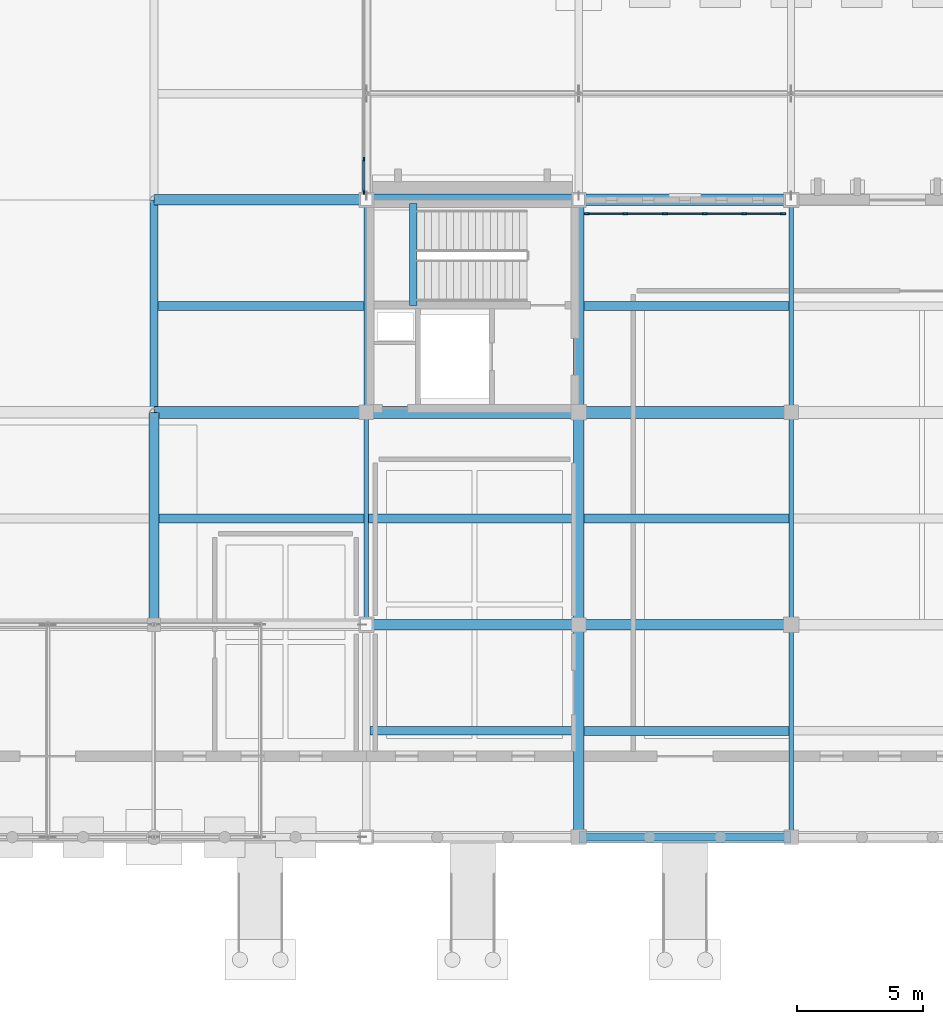
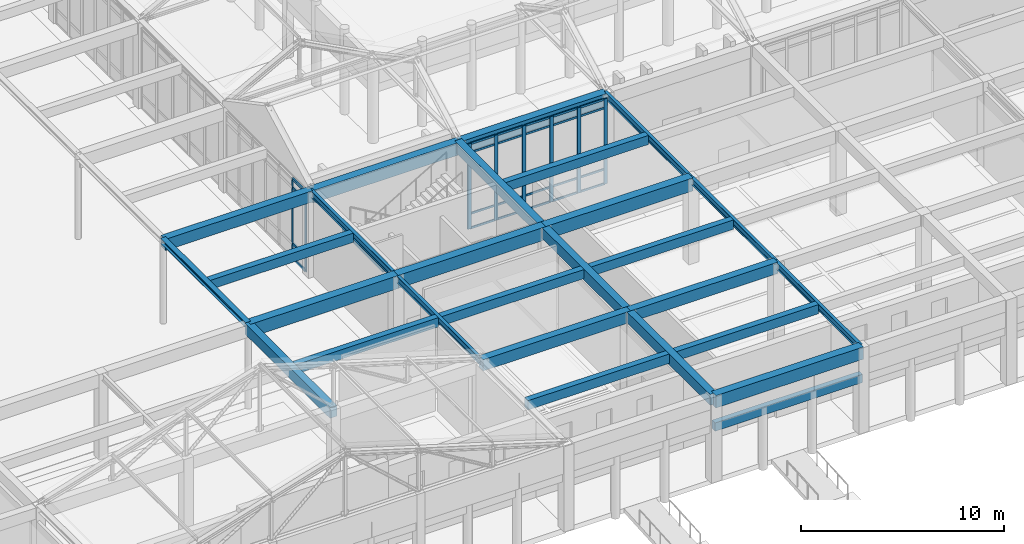
# One storey, part 34 of 143: 32 members, 28 beams, 2 elements without a shape of their own.
"""IFC4 building model written with IfcOpenShell, lengths in metres."""

from ifc_helpers import new_model, si_unit, direction, frame, origin, origin_2d, place, context, subcontext, project, spatial, rectangle, i_section, extrude, material, layer, layer_set, material_profile, profile_set, type_object, element, aggregate, save


model = new_model("IFC4")

# Units and contexts
model_context = context("Model", 3, precision=1e-05, world=origin(), true_north=direction((0.0, 1.0)))
body_context = subcontext(model_context, "Body", "Model", "MODEL_VIEW")
ifc_project = project(units=[si_unit("LENGTHUNIT", "METRE"), si_unit("AREAUNIT", "SQUARE_METRE"), si_unit("VOLUMEUNIT", "CUBIC_METRE"), si_unit("PLANEANGLEUNIT", "RADIAN"), si_unit("MASSUNIT", "GRAM", prefix="KILO")], contexts=[model_context])

# Site, building, storey
site_placement = place(None, origin())
site = spatial("IfcSite", under=ifc_project, at=site_placement, CompositionType="ELEMENT")
building_placement = place(site_placement, origin())
building = spatial("IfcBuilding", under=site, at=building_placement, Name="Kveldsbrygga Polytechnic", CompositionType="ELEMENT")
storey_placement = place(building_placement, origin())
storey = spatial("IfcBuildingStorey", under=building, at=storey_placement, Name="L00", CompositionType="ELEMENT", Elevation=0.0)

# Beams
ifc_material_1 = material(Name="Concrete C35/45", Category="concrete")
ifc_material_profile_1 = material_profile(ifc_material_1, rectangle(XDim=0.39990234375, YDim=0.64990234375, at=origin_2d()), Name="RC 400x650")
ifc_profile_set_1 = profile_set([ifc_material_profile_1], Name="Concrete C35/45")
beam_type_1 = type_object("IfcBeamType", Name="BM-RC-400x650", PredefinedType="BEAM", material=ifc_profile_set_1)
beam_1_placement = place(storey_placement, frame((67.199951171875, 8.39990234375, 4.81494140625), z_axis=(0.0, 1.0, 0.0), x_axis=(-1.0, 0.0, 0.0)))
element("IfcBeam", 1, at=beam_1_placement, inside=storey, type_object=beam_type_1, Name="Primary Beam BMY-L00-08-01to02", PredefinedType="BEAM", context=body_context, shape_type="SweptSolid", body=[
    extrude(rectangle(XDim=0.39990234375, YDim=0.64990234375, at=origin_2d()), origin(), (0.0, 0.0, 1.0), 8.400146484375),
])
beam_2_placement = place(storey_placement, frame((84.0, 0.0, 4.81494140625), z_axis=(0.0, 1.0, 0.0), x_axis=(-1.0, 0.0, 0.0)))
element("IfcBeam", 2, at=beam_2_placement, inside=storey, type_object=beam_type_1, Name="Primary Beam BMY-L00-10-00to01", PredefinedType="BEAM", context=body_context, shape_type="SweptSolid", body=[
    extrude(rectangle(XDim=0.39990234375, YDim=0.64990234375, at=origin_2d()), origin(), (0.0, 0.0, 1.0), 8.39990234375),
])
beam_3_placement = place(storey_placement, frame((84.0, 8.39990234375, 4.81494140625), z_axis=(0.0, 1.0, 0.0), x_axis=(-1.0, 0.0, 0.0)))
element("IfcBeam", 3, at=beam_3_placement, inside=storey, type_object=beam_type_1, Name="Primary Beam BMY-L00-10-01to02", PredefinedType="BEAM", context=body_context, shape_type="SweptSolid", body=[
    extrude(rectangle(XDim=0.39990234375, YDim=0.64990234375, at=origin_2d()), origin(), (0.0, 0.0, 1.0), 8.400146484375),
])
beam_4_placement = place(storey_placement, frame((84.0, 16.800048828125, 4.81494140625), z_axis=(0.0, 1.0, 0.0), x_axis=(-1.0, 0.0, 0.0)))
element("IfcBeam", 4, at=beam_4_placement, inside=storey, type_object=beam_type_1, Name="Primary Beam BMY-L00-10-02to03", PredefinedType="BEAM", context=body_context, shape_type="SweptSolid", body=[
    extrude(rectangle(XDim=0.39990234375, YDim=0.64990234375, at=origin_2d()), origin(), (0.0, 0.0, 1.0), 8.39990234375),
])
ifc_material_profile_2 = material_profile(ifc_material_1, rectangle(XDim=0.419921875, YDim=0.679931640625, at=origin_2d()), Name="RC 420x680")
ifc_profile_set_2 = profile_set([ifc_material_profile_2], Name="Concrete C35/45")
beam_type_2 = type_object("IfcBeamType", Name="BM-RC-420x680", PredefinedType="BEAM", material=ifc_profile_set_2)
for number, where, z_axis, x_axis, name in (
    (5, (75.60009765625, 8.39990234375, 4.800048828125), (1.0, 0.0, 0.0), (0.0, 1.0, 0.0), "Primary Beam BMX-L00-09to10-01"),
    (6, (84.0, 8.39990234375, 4.800048828125), (1.0, 0.0, 0.0), (0.0, 1.0, 0.0), "Primary Beam BMX-L00-10to11-01"),
):
    element("IfcBeam", number, at=place(storey_placement, frame(where, z_axis=z_axis, x_axis=x_axis)), inside=storey, type_object=beam_type_2, Name=name, PredefinedType="BEAM", context=body_context, shape_type="SweptSolid", body=[
        extrude(rectangle(XDim=0.419921875, YDim=0.679931640625, at=origin_2d()), origin(), (0.0, 0.0, 1.0), 8.39990234375),
    ])
beam_5_placement = place(storey_placement, frame((67.199951171875, 25.199951171875, 4.800048828125), z_axis=(1.0, 0.0, 0.0), x_axis=(0.0, 1.0, 0.0)))
element("IfcBeam", 7, at=beam_5_placement, inside=storey, type_object=beam_type_2, Name="Primary Beam BMX-L00-08to09-03", PredefinedType="BEAM", context=body_context, shape_type="SweptSolid", body=[
    extrude(rectangle(XDim=0.419921875, YDim=0.679931640625, at=origin_2d()), origin(), (0.0, 0.0, 1.0), 8.400146484375),
])
ifc_material_profile_3 = material_profile(ifc_material_1, rectangle(XDim=0.449951171875, YDim=0.75, at=origin_2d()), Name="RC 450x750")
ifc_profile_set_3 = profile_set([ifc_material_profile_3], Name="Concrete C35/45")
beam_type_3 = type_object("IfcBeamType", Name="BM-RC-450x750", PredefinedType="BEAM", material=ifc_profile_set_3)
for number, where, z_axis, x_axis, name in (
    (8, (75.60009765625, 25.199951171875, 4.764892578125), (1.0, 0.0, 0.0), (0.0, 1.0, 0.0), "Primary Beam BMX-L00-09to10-03"),
    (9, (84.0, 25.199951171875, 4.764892578125), (1.0, 0.0, 0.0), (0.0, 1.0, 0.0), "Primary Beam BMX-L00-10to11-03"),
):
    element("IfcBeam", number, at=place(storey_placement, frame(where, z_axis=z_axis, x_axis=x_axis)), inside=storey, type_object=beam_type_3, Name=name, PredefinedType="BEAM", context=body_context, shape_type="SweptSolid", body=[
        extrude(rectangle(XDim=0.449951171875, YDim=0.75, at=origin_2d()), origin(), (0.0, 0.0, 1.0), 8.39990234375),
    ])
ifc_material_profile_4 = material_profile(ifc_material_1, rectangle(XDim=0.4599609375, YDim=0.739990234375, at=origin_2d()), Name="RC 460x740")
ifc_profile_set_4 = profile_set([ifc_material_profile_4], Name="Concrete C35/45")
beam_type_4 = type_object("IfcBeamType", Name="BM-RC-460x740", PredefinedType="BEAM", material=ifc_profile_set_4)
beam_6_placement = place(storey_placement, frame((84.0, 0.0, 4.77001953125), z_axis=(1.0, 0.0, 0.0), x_axis=(0.0, 1.0, 0.0)))
element("IfcBeam", 10, at=beam_6_placement, inside=storey, type_object=beam_type_4, Name="Primary Beam BMX-L00-10to11-00", PredefinedType="BEAM", context=body_context, shape_type="SweptSolid", body=[
    extrude(rectangle(XDim=0.4599609375, YDim=0.739990234375, at=origin_2d()), origin(), (0.0, 0.0, 1.0), 8.39990234375),
])
ifc_material_profile_5 = material_profile(ifc_material_1, rectangle(XDim=0.47998046875, YDim=0.780029296875, at=origin_2d()), Name="RC 480x780")
ifc_profile_set_5 = profile_set([ifc_material_profile_5], Name="Concrete C35/45")
beam_type_5 = type_object("IfcBeamType", Name="BM-RC-480x780", PredefinedType="BEAM", material=ifc_profile_set_5)
beam_7_placement = place(storey_placement, frame((67.199951171875, 16.800048828125, 4.75), z_axis=(1.0, 0.0, 0.0), x_axis=(0.0, 1.0, 0.0)))
element("IfcBeam", 11, at=beam_7_placement, inside=storey, type_object=beam_type_5, Name="Primary Beam BMX-L00-08to09-02", PredefinedType="BEAM", context=body_context, shape_type="SweptSolid", body=[
    extrude(rectangle(XDim=0.47998046875, YDim=0.780029296875, at=origin_2d()), origin(), (0.0, 0.0, 1.0), 8.400146484375),
])
for number, where, z_axis, x_axis, name in (
    (12, (75.60009765625, 16.800048828125, 4.75), (1.0, 0.0, 0.0), (0.0, 1.0, 0.0), "Primary Beam BMX-L00-09to10-02"),
    (13, (84.0, 16.800048828125, 4.75), (1.0, 0.0, 0.0), (0.0, 1.0, 0.0), "Primary Beam BMX-L00-10to11-02"),
):
    element("IfcBeam", number, at=place(storey_placement, frame(where, z_axis=z_axis, x_axis=x_axis)), inside=storey, type_object=beam_type_5, Name=name, PredefinedType="BEAM", context=body_context, shape_type="SweptSolid", body=[
        extrude(rectangle(XDim=0.47998046875, YDim=0.780029296875, at=origin_2d()), origin(), (0.0, 0.0, 1.0), 8.39990234375),
    ])
ifc_material_2 = material(Name="Steel S355", Category="steel")
ifc_material_profile_6 = material_profile(ifc_material_2, i_section(OverallWidth=0.300048828125, OverallDepth=0.31005859375, WebThickness=0.009033203125, FlangeThickness=0.015380859375, FilletRadius=0.027099609375, at=origin_2d()), Name="HEA 320")
ifc_profile_set_6 = profile_set([ifc_material_profile_6], Name="Steel S355")
beam_type_6 = type_object("IfcBeamType", Name="BM-STL-HEA320", PredefinedType="BEAM", material=ifc_profile_set_6)
beam_8_placement = place(storey_placement, frame((67.199951171875, 16.800048828125, 4.985107421875), z_axis=(0.0, 1.0, 0.0), x_axis=(-1.0, 0.0, 0.0)))
element("IfcBeam", 14, at=beam_8_placement, inside=storey, type_object=beam_type_6, Name="Primary Beam BMY-L00-08-02to03", PredefinedType="BEAM", context=body_context, shape_type="SweptSolid", body=[
    extrude(i_section(OverallWidth=0.300048828125, OverallDepth=0.31005859375, WebThickness=0.009033203125, FlangeThickness=0.015380859375, FilletRadius=0.027099609375, at=origin_2d()), origin(), (0.0, 0.0, 1.0), 8.39990234375),
])
ifc_material_profile_7 = material_profile(ifc_material_2, i_section(OverallWidth=0.179931640625, OverallDepth=0.39990234375, WebThickness=0.008544921875, FlangeThickness=0.013427734375, FilletRadius=0.02099609375, at=origin_2d()), Name="IPE 400")
ifc_profile_set_7 = profile_set([ifc_material_profile_7], Name="Steel S355")
beam_type_7 = type_object("IfcBeamType", Name="BM-STL-IPE400", PredefinedType="BEAM", material=ifc_profile_set_7)
beam_9_placement = place(storey_placement, frame((75.60009765625, 8.39990234375, 4.93994140625), z_axis=(0.0, 1.0, 0.0), x_axis=(-1.0, 0.0, 0.0)))
element("IfcBeam", 15, at=beam_9_placement, inside=storey, type_object=beam_type_7, Name="Primary Beam BMY-L00-09-01to02", PredefinedType="BEAM", context=body_context, shape_type="SweptSolid", body=[
    extrude(i_section(OverallWidth=0.179931640625, OverallDepth=0.39990234375, WebThickness=0.008544921875, FlangeThickness=0.013427734375, FilletRadius=0.02099609375, at=origin_2d()), origin(), (0.0, 0.0, 1.0), 8.400146484375),
])
for number, where, z_axis, x_axis, name in (
    (16, (75.60009765625, 16.800048828125, 4.93994140625), (0.0, 1.0, 0.0), (-1.0, 0.0, 0.0), "Primary Beam BMY-L00-09-02to03"),
    (17, (92.39990234375, 0.0, 4.93994140625), (0.0, 1.0, 0.0), (-1.0, 0.0, 0.0), "Primary Beam BMY-L00-11-00to01"),
):
    element("IfcBeam", number, at=place(storey_placement, frame(where, z_axis=z_axis, x_axis=x_axis)), inside=storey, type_object=beam_type_7, Name=name, PredefinedType="BEAM", context=body_context, shape_type="SweptSolid", body=[
        extrude(i_section(OverallWidth=0.179931640625, OverallDepth=0.39990234375, WebThickness=0.008544921875, FlangeThickness=0.013427734375, FilletRadius=0.02099609375, at=origin_2d()), origin(), (0.0, 0.0, 1.0), 8.39990234375),
    ])
beam_10_placement = place(storey_placement, frame((92.39990234375, 8.39990234375, 4.93994140625), z_axis=(0.0, 1.0, 0.0), x_axis=(-1.0, 0.0, 0.0)))
element("IfcBeam", 18, at=beam_10_placement, inside=storey, type_object=beam_type_7, Name="Primary Beam BMY-L00-11-01to02", PredefinedType="BEAM", context=body_context, shape_type="SweptSolid", body=[
    extrude(i_section(OverallWidth=0.179931640625, OverallDepth=0.39990234375, WebThickness=0.008544921875, FlangeThickness=0.013427734375, FilletRadius=0.02099609375, at=origin_2d()), origin(), (0.0, 0.0, 1.0), 8.400146484375),
])
beam_11_placement = place(storey_placement, frame((92.39990234375, 16.800048828125, 4.93994140625), z_axis=(0.0, 1.0, 0.0), x_axis=(-1.0, 0.0, 0.0)))
element("IfcBeam", 19, at=beam_11_placement, inside=storey, type_object=beam_type_7, Name="Primary Beam BMY-L00-11-02to03", PredefinedType="BEAM", context=body_context, shape_type="SweptSolid", body=[
    extrude(i_section(OverallWidth=0.179931640625, OverallDepth=0.39990234375, WebThickness=0.008544921875, FlangeThickness=0.013427734375, FilletRadius=0.02099609375, at=origin_2d()), origin(), (0.0, 0.0, 1.0), 8.39990234375),
])

# Curtain wall, members
ifc_material_3 = material(Name="Anodised aluminium AW-6060", Category="aluminium")
ifc_layer_1 = layer(ifc_material_3, 0.169921875)
ifc_layer_set_1 = layer_set([ifc_layer_1], Name="Anodised aluminium AW-6060")
curtain_wall_type_1 = type_object("IfcCurtainWallType", Name="CW-FOYR-F", PredefinedType="USERDEFINED", material=ifc_layer_set_1)
curtain_wall_1_placement = place(storey_placement, origin())
curtain_wall_1 = element("IfcCurtainWall", 20, at=curtain_wall_1_placement, inside=storey, type_object=curtain_wall_type_1, Name="Curtain Wall CW-L00-Y-09-03", ObjectType="STICK CURTAIN WALL", PredefinedType="USERDEFINED")
ifc_material_profile_8 = material_profile(ifc_material_3, rectangle(XDim=0.06005859375, YDim=0.179931640625, at=origin_2d()), Name="ALU 60x180")
ifc_profile_set_8 = profile_set([ifc_material_profile_8], Name="Anodised aluminium AW-6060")
member_type_1 = type_object("IfcMemberType", Name="CW-MUL-180", PredefinedType="MULLION", material=ifc_profile_set_8)
member_1_placement = place(storey_placement, frame((75.5, 25.514892578125, 0.0), z_axis=(0.0, 0.0, 1.0), x_axis=(-1.0, 0.0, 0.0)))
member_1 = element("IfcMember", 21, at=member_1_placement, type_object=member_type_1, Name="CW-06 mullion 1", PredefinedType="MULLION", context=body_context, shape_type="SweptSolid", body=[
    extrude(rectangle(XDim=0.06005859375, YDim=0.179931640625, at=origin_2d()), origin(), (0.0, 0.0, 1.0), 4.830078125),
])
member_2_placement = place(storey_placement, frame((75.5, 26.79833984375, 0.0), z_axis=(0.0, 0.0, 1.0), x_axis=(-1.0, 0.0, 0.0)))
member_2 = element("IfcMember", 22, at=member_2_placement, type_object=member_type_1, Name="CW-06 mullion 2", PredefinedType="MULLION", context=body_context, shape_type="SweptSolid", body=[
    extrude(rectangle(XDim=0.06005859375, YDim=0.179931640625, at=origin_2d()), origin(), (0.0, 0.0, 1.0), 4.830078125),
])

ifc_layer_2 = layer(ifc_material_3, 0.18994140625)
ifc_layer_set_2 = layer_set([ifc_layer_2], Name="Anodised aluminium AW-6060")
curtain_wall_type_2 = type_object("IfcCurtainWallType", Name="CW-REFC-G", PredefinedType="USERDEFINED", material=ifc_layer_set_2)
curtain_wall_2_placement = place(storey_placement, origin())
curtain_wall_2 = element("IfcCurtainWall", 23, at=curtain_wall_2_placement, inside=storey, type_object=curtain_wall_type_2, Name="Curtain Wall CW-L00-X-10-03", ObjectType="UNITISED CURTAIN WALL", PredefinedType="USERDEFINED")
ifc_material_profile_9 = material_profile(ifc_material_3, rectangle(XDim=0.074951171875, YDim=0.199951171875, at=origin_2d()), Name="ALU 75x200")
ifc_profile_set_9 = profile_set([ifc_material_profile_9], Name="Anodised aluminium AW-6060")
member_type_2 = type_object("IfcMemberType", Name="CW-MUL-200", PredefinedType="MULLION", material=ifc_profile_set_9)
member_3_placement = place(storey_placement, frame((84.3125, 24.64990234375, 0.0), z_axis=(0.0, 0.0, 1.0), x_axis=(0.0, 1.0, 0.0)))
member_3 = element("IfcMember", 24, at=member_3_placement, type_object=member_type_2, Name="CW-07 mullion 1", PredefinedType="MULLION", context=body_context, shape_type="SweptSolid", body=[
    extrude(rectangle(XDim=0.074951171875, YDim=0.199951171875, at=origin_2d()), origin(), (0.0, 0.0, 1.0), 5.139892578125),
])
member_4_placement = place(storey_placement, frame((85.843017578125, 24.64990234375, 0.0), z_axis=(0.0, 0.0, 1.0), x_axis=(0.0, 1.0, 0.0)))
member_4 = element("IfcMember", 25, at=member_4_placement, type_object=member_type_2, Name="CW-07 mullion 2", PredefinedType="MULLION", context=body_context, shape_type="SweptSolid", body=[
    extrude(rectangle(XDim=0.074951171875, YDim=0.199951171875, at=origin_2d()), origin(), (0.0, 0.0, 1.0), 5.139892578125),
])
member_5_placement = place(storey_placement, frame((87.410888671875, 24.64990234375, 0.0), z_axis=(0.0, 0.0, 1.0), x_axis=(0.0, 1.0, 0.0)))
member_5 = element("IfcMember", 26, at=member_5_placement, type_object=member_type_2, Name="CW-07 mullion 3", PredefinedType="MULLION", context=body_context, shape_type="SweptSolid", body=[
    extrude(rectangle(XDim=0.074951171875, YDim=0.199951171875, at=origin_2d()), origin(), (0.0, 0.0, 1.0), 5.139892578125),
])
member_6_placement = place(storey_placement, frame((88.97900390625, 24.64990234375, 0.0), z_axis=(0.0, 0.0, 1.0), x_axis=(0.0, 1.0, 0.0)))
member_6 = element("IfcMember", 27, at=member_6_placement, type_object=member_type_2, Name="CW-07 mullion 4", PredefinedType="MULLION", context=body_context, shape_type="SweptSolid", body=[
    extrude(rectangle(XDim=0.074951171875, YDim=0.199951171875, at=origin_2d()), origin(), (0.0, 0.0, 1.0), 5.139892578125),
])
member_7_placement = place(storey_placement, frame((90.547119140625, 24.64990234375, 0.0), z_axis=(0.0, 0.0, 1.0), x_axis=(0.0, 1.0, 0.0)))
member_7 = element("IfcMember", 28, at=member_7_placement, type_object=member_type_2, Name="CW-07 mullion 5", PredefinedType="MULLION", context=body_context, shape_type="SweptSolid", body=[
    extrude(rectangle(XDim=0.074951171875, YDim=0.199951171875, at=origin_2d()), origin(), (0.0, 0.0, 1.0), 5.139892578125),
])
member_8_placement = place(storey_placement, frame((92.077392578125, 24.64990234375, 0.0), z_axis=(0.0, 0.0, 1.0), x_axis=(0.0, 1.0, 0.0)))
member_8 = element("IfcMember", 29, at=member_8_placement, type_object=member_type_2, Name="CW-07 mullion 6", PredefinedType="MULLION", context=body_context, shape_type="SweptSolid", body=[
    extrude(rectangle(XDim=0.074951171875, YDim=0.199951171875, at=origin_2d()), origin(), (0.0, 0.0, 1.0), 5.139892578125),
])
ifc_material_profile_10 = material_profile(ifc_material_3, rectangle(XDim=0.06005859375, YDim=0.1201171875, at=origin_2d()), Name="ALU 60x120")
ifc_profile_set_10 = profile_set([ifc_material_profile_10], Name="Anodised aluminium AW-6060")
member_type_3 = type_object("IfcMemberType", Name="CW-TRN-120", PredefinedType="USERDEFINED", material=ifc_profile_set_10)
member_9_placement = place(storey_placement, frame((84.35009765625, 24.64990234375, 0.030029296875), z_axis=(1.0, 0.0, 0.0), x_axis=(0.0, 1.0, 0.0)))
member_9 = element("IfcMember", 30, at=member_9_placement, type_object=member_type_3, Name="CW-07 transom 1.1", ObjectType="TRANSOM", PredefinedType="USERDEFINED", context=body_context, shape_type="SweptSolid", body=[
    extrude(rectangle(XDim=0.06005859375, YDim=0.1201171875, at=origin_2d()), origin(), (0.0, 0.0, 1.0), 1.455322265625),
])
member_10_placement = place(storey_placement, frame((84.35009765625, 24.64990234375, 0.89990234375), z_axis=(1.0, 0.0, 0.0), x_axis=(0.0, 1.0, 0.0)))
member_10 = element("IfcMember", 31, at=member_10_placement, type_object=member_type_3, Name="CW-07 transom 1.2", ObjectType="TRANSOM", PredefinedType="USERDEFINED", context=body_context, shape_type="SweptSolid", body=[
    extrude(rectangle(XDim=0.06005859375, YDim=0.1201171875, at=origin_2d()), origin(), (0.0, 0.0, 1.0), 1.455322265625),
])
member_11_placement = place(storey_placement, frame((84.35009765625, 24.64990234375, 4.590087890625), z_axis=(1.0, 0.0, 0.0), x_axis=(0.0, 1.0, 0.0)))
member_11 = element("IfcMember", 32, at=member_11_placement, type_object=member_type_3, Name="CW-07 transom 1.3", ObjectType="TRANSOM", PredefinedType="USERDEFINED", context=body_context, shape_type="SweptSolid", body=[
    extrude(rectangle(XDim=0.06005859375, YDim=0.1201171875, at=origin_2d()), origin(), (0.0, 0.0, 1.0), 1.455322265625),
])
member_12_placement = place(storey_placement, frame((84.35009765625, 24.64990234375, 5.110107421875), z_axis=(1.0, 0.0, 0.0), x_axis=(0.0, 1.0, 0.0)))
member_12 = element("IfcMember", 33, at=member_12_placement, type_object=member_type_3, Name="CW-07 transom 1.4", ObjectType="TRANSOM", PredefinedType="USERDEFINED", context=body_context, shape_type="SweptSolid", body=[
    extrude(rectangle(XDim=0.06005859375, YDim=0.1201171875, at=origin_2d()), origin(), (0.0, 0.0, 1.0), 1.455322265625),
])
member_13_placement = place(storey_placement, frame((85.880615234375, 24.64990234375, 0.030029296875), z_axis=(1.0, 0.0, 0.0), x_axis=(0.0, 1.0, 0.0)))
member_13 = element("IfcMember", 34, at=member_13_placement, type_object=member_type_3, Name="CW-07 transom 2.1", ObjectType="TRANSOM", PredefinedType="USERDEFINED", context=body_context, shape_type="SweptSolid", body=[
    extrude(rectangle(XDim=0.06005859375, YDim=0.1201171875, at=origin_2d()), origin(), (0.0, 0.0, 1.0), 1.492919921875),
])
member_14_placement = place(storey_placement, frame((85.880615234375, 24.64990234375, 0.89990234375), z_axis=(1.0, 0.0, 0.0), x_axis=(0.0, 1.0, 0.0)))
member_14 = element("IfcMember", 35, at=member_14_placement, type_object=member_type_3, Name="CW-07 transom 2.2", ObjectType="TRANSOM", PredefinedType="USERDEFINED", context=body_context, shape_type="SweptSolid", body=[
    extrude(rectangle(XDim=0.06005859375, YDim=0.1201171875, at=origin_2d()), origin(), (0.0, 0.0, 1.0), 1.492919921875),
])
member_15_placement = place(storey_placement, frame((85.880615234375, 24.64990234375, 4.590087890625), z_axis=(1.0, 0.0, 0.0), x_axis=(0.0, 1.0, 0.0)))
member_15 = element("IfcMember", 36, at=member_15_placement, type_object=member_type_3, Name="CW-07 transom 2.3", ObjectType="TRANSOM", PredefinedType="USERDEFINED", context=body_context, shape_type="SweptSolid", body=[
    extrude(rectangle(XDim=0.06005859375, YDim=0.1201171875, at=origin_2d()), origin(), (0.0, 0.0, 1.0), 1.492919921875),
])
member_16_placement = place(storey_placement, frame((85.880615234375, 24.64990234375, 5.110107421875), z_axis=(1.0, 0.0, 0.0), x_axis=(0.0, 1.0, 0.0)))
member_16 = element("IfcMember", 37, at=member_16_placement, type_object=member_type_3, Name="CW-07 transom 2.4", ObjectType="TRANSOM", PredefinedType="USERDEFINED", context=body_context, shape_type="SweptSolid", body=[
    extrude(rectangle(XDim=0.06005859375, YDim=0.1201171875, at=origin_2d()), origin(), (0.0, 0.0, 1.0), 1.492919921875),
])
member_17_placement = place(storey_placement, frame((87.448486328125, 24.64990234375, 0.030029296875), z_axis=(1.0, 0.0, 0.0), x_axis=(0.0, 1.0, 0.0)))
member_17 = element("IfcMember", 38, at=member_17_placement, type_object=member_type_3, Name="CW-07 transom 3.1", ObjectType="TRANSOM", PredefinedType="USERDEFINED", context=body_context, shape_type="SweptSolid", body=[
    extrude(rectangle(XDim=0.06005859375, YDim=0.1201171875, at=origin_2d()), origin(), (0.0, 0.0, 1.0), 1.492919921875),
])
member_18_placement = place(storey_placement, frame((87.448486328125, 24.64990234375, 0.89990234375), z_axis=(1.0, 0.0, 0.0), x_axis=(0.0, 1.0, 0.0)))
member_18 = element("IfcMember", 39, at=member_18_placement, type_object=member_type_3, Name="CW-07 transom 3.2", ObjectType="TRANSOM", PredefinedType="USERDEFINED", context=body_context, shape_type="SweptSolid", body=[
    extrude(rectangle(XDim=0.06005859375, YDim=0.1201171875, at=origin_2d()), origin(), (0.0, 0.0, 1.0), 1.492919921875),
])
member_19_placement = place(storey_placement, frame((87.448486328125, 24.64990234375, 4.590087890625), z_axis=(1.0, 0.0, 0.0), x_axis=(0.0, 1.0, 0.0)))
member_19 = element("IfcMember", 40, at=member_19_placement, type_object=member_type_3, Name="CW-07 transom 3.3", ObjectType="TRANSOM", PredefinedType="USERDEFINED", context=body_context, shape_type="SweptSolid", body=[
    extrude(rectangle(XDim=0.06005859375, YDim=0.1201171875, at=origin_2d()), origin(), (0.0, 0.0, 1.0), 1.492919921875),
])
member_20_placement = place(storey_placement, frame((87.448486328125, 24.64990234375, 5.110107421875), z_axis=(1.0, 0.0, 0.0), x_axis=(0.0, 1.0, 0.0)))
member_20 = element("IfcMember", 41, at=member_20_placement, type_object=member_type_3, Name="CW-07 transom 3.4", ObjectType="TRANSOM", PredefinedType="USERDEFINED", context=body_context, shape_type="SweptSolid", body=[
    extrude(rectangle(XDim=0.06005859375, YDim=0.1201171875, at=origin_2d()), origin(), (0.0, 0.0, 1.0), 1.492919921875),
])
member_21_placement = place(storey_placement, frame((89.0166015625, 24.64990234375, 0.030029296875), z_axis=(1.0, 0.0, 0.0), x_axis=(0.0, 1.0, 0.0)))
member_21 = element("IfcMember", 42, at=member_21_placement, type_object=member_type_3, Name="CW-07 transom 4.1", ObjectType="TRANSOM", PredefinedType="USERDEFINED", context=body_context, shape_type="SweptSolid", body=[
    extrude(rectangle(XDim=0.06005859375, YDim=0.1201171875, at=origin_2d()), origin(), (0.0, 0.0, 1.0), 1.492919921875),
])
member_22_placement = place(storey_placement, frame((89.0166015625, 24.64990234375, 0.89990234375), z_axis=(1.0, 0.0, 0.0), x_axis=(0.0, 1.0, 0.0)))
member_22 = element("IfcMember", 43, at=member_22_placement, type_object=member_type_3, Name="CW-07 transom 4.2", ObjectType="TRANSOM", PredefinedType="USERDEFINED", context=body_context, shape_type="SweptSolid", body=[
    extrude(rectangle(XDim=0.06005859375, YDim=0.1201171875, at=origin_2d()), origin(), (0.0, 0.0, 1.0), 1.492919921875),
])
member_23_placement = place(storey_placement, frame((89.0166015625, 24.64990234375, 4.590087890625), z_axis=(1.0, 0.0, 0.0), x_axis=(0.0, 1.0, 0.0)))
member_23 = element("IfcMember", 44, at=member_23_placement, type_object=member_type_3, Name="CW-07 transom 4.3", ObjectType="TRANSOM", PredefinedType="USERDEFINED", context=body_context, shape_type="SweptSolid", body=[
    extrude(rectangle(XDim=0.06005859375, YDim=0.1201171875, at=origin_2d()), origin(), (0.0, 0.0, 1.0), 1.492919921875),
])
member_24_placement = place(storey_placement, frame((89.0166015625, 24.64990234375, 5.110107421875), z_axis=(1.0, 0.0, 0.0), x_axis=(0.0, 1.0, 0.0)))
member_24 = element("IfcMember", 45, at=member_24_placement, type_object=member_type_3, Name="CW-07 transom 4.4", ObjectType="TRANSOM", PredefinedType="USERDEFINED", context=body_context, shape_type="SweptSolid", body=[
    extrude(rectangle(XDim=0.06005859375, YDim=0.1201171875, at=origin_2d()), origin(), (0.0, 0.0, 1.0), 1.492919921875),
])
member_25_placement = place(storey_placement, frame((90.58447265625, 24.64990234375, 0.030029296875), z_axis=(1.0, 0.0, 0.0), x_axis=(0.0, 1.0, 0.0)))
member_25 = element("IfcMember", 46, at=member_25_placement, type_object=member_type_3, Name="CW-07 transom 5.1", ObjectType="TRANSOM", PredefinedType="USERDEFINED", context=body_context, shape_type="SweptSolid", body=[
    extrude(rectangle(XDim=0.06005859375, YDim=0.1201171875, at=origin_2d()), origin(), (0.0, 0.0, 1.0), 1.45556640625),
])
member_26_placement = place(storey_placement, frame((90.58447265625, 24.64990234375, 0.89990234375), z_axis=(1.0, 0.0, 0.0), x_axis=(0.0, 1.0, 0.0)))
member_26 = element("IfcMember", 47, at=member_26_placement, type_object=member_type_3, Name="CW-07 transom 5.2", ObjectType="TRANSOM", PredefinedType="USERDEFINED", context=body_context, shape_type="SweptSolid", body=[
    extrude(rectangle(XDim=0.06005859375, YDim=0.1201171875, at=origin_2d()), origin(), (0.0, 0.0, 1.0), 1.45556640625),
])
member_27_placement = place(storey_placement, frame((90.58447265625, 24.64990234375, 4.590087890625), z_axis=(1.0, 0.0, 0.0), x_axis=(0.0, 1.0, 0.0)))
member_27 = element("IfcMember", 48, at=member_27_placement, type_object=member_type_3, Name="CW-07 transom 5.3", ObjectType="TRANSOM", PredefinedType="USERDEFINED", context=body_context, shape_type="SweptSolid", body=[
    extrude(rectangle(XDim=0.06005859375, YDim=0.1201171875, at=origin_2d()), origin(), (0.0, 0.0, 1.0), 1.45556640625),
])
member_28_placement = place(storey_placement, frame((90.58447265625, 24.64990234375, 5.110107421875), z_axis=(1.0, 0.0, 0.0), x_axis=(0.0, 1.0, 0.0)))
member_28 = element("IfcMember", 49, at=member_28_placement, type_object=member_type_3, Name="CW-07 transom 5.4", ObjectType="TRANSOM", PredefinedType="USERDEFINED", context=body_context, shape_type="SweptSolid", body=[
    extrude(rectangle(XDim=0.06005859375, YDim=0.1201171875, at=origin_2d()), origin(), (0.0, 0.0, 1.0), 1.45556640625),
])
aggregate(curtain_wall_2, [member_3, member_4, member_5, member_6, member_7, member_8, member_9, member_10, member_11, member_12, member_13, member_14, member_15, member_16, member_17, member_18, member_19, member_20, member_21, member_22, member_23, member_24, member_25, member_26, member_27, member_28])

# Member
ifc_material_profile_11 = material_profile(ifc_material_3, rectangle(XDim=0.074951171875, YDim=0.159912109375, at=origin_2d()), Name="ALU 75x160")
ifc_profile_set_11 = profile_set([ifc_material_profile_11], Name="Anodised aluminium AW-6060")
member_type_4 = type_object("IfcMemberType", Name="CW-TRN-160", PredefinedType="USERDEFINED", material=ifc_profile_set_11)
member_29_placement = place(storey_placement, frame((75.5, 25.544921875, 0.03759765625), z_axis=(0.0, 1.0, 0.0), x_axis=(-1.0, 0.0, 0.0)))
member_29 = element("IfcMember", 50, at=member_29_placement, type_object=member_type_4, Name="CW-06 transom 1.1", ObjectType="TRANSOM", PredefinedType="USERDEFINED", context=body_context, shape_type="SweptSolid", body=[
    extrude(rectangle(XDim=0.074951171875, YDim=0.159912109375, at=origin_2d()), origin(), (0.0, 0.0, 1.0), 1.223388671875),
])

member_30_placement = place(storey_placement, frame((75.5, 25.544921875, 0.89990234375), z_axis=(0.0, 1.0, 0.0), x_axis=(-1.0, 0.0, 0.0)))
member_30 = element("IfcMember", 51, at=member_30_placement, type_object=member_type_4, Name="CW-06 transom 1.2", ObjectType="TRANSOM", PredefinedType="USERDEFINED", context=body_context, shape_type="SweptSolid", body=[
    extrude(rectangle(XDim=0.074951171875, YDim=0.159912109375, at=origin_2d()), origin(), (0.0, 0.0, 1.0), 1.223388671875),
])

member_31_placement = place(storey_placement, frame((75.5, 25.544921875, 4.280029296875), z_axis=(0.0, 1.0, 0.0), x_axis=(-1.0, 0.0, 0.0)))
member_31 = element("IfcMember", 52, at=member_31_placement, type_object=member_type_4, Name="CW-06 transom 1.3", ObjectType="TRANSOM", PredefinedType="USERDEFINED", context=body_context, shape_type="SweptSolid", body=[
    extrude(rectangle(XDim=0.074951171875, YDim=0.159912109375, at=origin_2d()), origin(), (0.0, 0.0, 1.0), 1.223388671875),
])

member_32_placement = place(storey_placement, frame((75.5, 25.544921875, 4.79248046875), z_axis=(0.0, 1.0, 0.0), x_axis=(-1.0, 0.0, 0.0)))
member_32 = element("IfcMember", 53, at=member_32_placement, type_object=member_type_4, Name="CW-06 transom 1.4", ObjectType="TRANSOM", PredefinedType="USERDEFINED", context=body_context, shape_type="SweptSolid", body=[
    extrude(rectangle(XDim=0.074951171875, YDim=0.159912109375, at=origin_2d()), origin(), (0.0, 0.0, 1.0), 1.223388671875),
])

aggregate(curtain_wall_1, [member_1, member_2, member_29, member_30, member_31, member_32])

# Beams
ifc_material_profile_12 = material_profile(ifc_material_1, rectangle(XDim=0.340087890625, YDim=0.56005859375, at=origin_2d()), Name="RC 340x560")
ifc_profile_set_12 = profile_set([ifc_material_profile_12], Name="Concrete C35/45")
beam_type_8 = type_object("IfcBeamType", Name="JST-RC-340x560", PredefinedType="JOIST", material=ifc_profile_set_12)
beam_12_placement = place(storey_placement, frame((67.39990234375, 12.60009765625, 4.860107421875), z_axis=(1.0, 0.0, 0.0), x_axis=(0.0, 1.0, 0.0)))
element("IfcBeam", 54, at=beam_12_placement, inside=storey, type_object=beam_type_8, Name="Secondary Joist JST-L00-08-01", PredefinedType="JOIST", context=body_context, shape_type="SweptSolid", body=[
    extrude(rectangle(XDim=0.340087890625, YDim=0.56005859375, at=origin_2d()), origin(), (0.0, 0.0, 1.0), 8.110107421875),
])
beam_13_placement = place(storey_placement, frame((75.75, 4.199951171875, 4.860107421875), z_axis=(1.0, 0.0, 0.0), x_axis=(0.0, 1.0, 0.0)))
element("IfcBeam", 55, at=beam_13_placement, inside=storey, type_object=beam_type_8, Name="Secondary Joist JST-L00-09-00", PredefinedType="JOIST", context=body_context, shape_type="SweptSolid", body=[
    extrude(rectangle(XDim=0.340087890625, YDim=0.56005859375, at=origin_2d()), origin(), (0.0, 0.0, 1.0), 8.050048828125),
])
beam_14_placement = place(storey_placement, frame((84.199951171875, 12.60009765625, 4.860107421875), z_axis=(1.0, 0.0, 0.0), x_axis=(0.0, 1.0, 0.0)))
element("IfcBeam", 56, at=beam_14_placement, inside=storey, type_object=beam_type_8, Name="Secondary Joist JST-L00-10-01", PredefinedType="JOIST", context=body_context, shape_type="SweptSolid", body=[
    extrude(rectangle(XDim=0.340087890625, YDim=0.56005859375, at=origin_2d()), origin(), (0.0, 0.0, 1.0), 8.110107421875),
])
ifc_material_profile_13 = material_profile(ifc_material_1, rectangle(XDim=0.35009765625, YDim=0.550048828125, at=origin_2d()), Name="RC 350x550")
ifc_profile_set_13 = profile_set([ifc_material_profile_13], Name="Concrete C35/45")
beam_type_9 = type_object("IfcBeamType", Name="JST-RC-350x550", PredefinedType="JOIST", material=ifc_profile_set_13)
beam_15_placement = place(storey_placement, frame((67.35009765625, 21.0, 4.864990234375), z_axis=(1.0, 0.0, 0.0), x_axis=(0.0, 1.0, 0.0)))
element("IfcBeam", 57, at=beam_15_placement, inside=storey, type_object=beam_type_9, Name="Secondary Joist JST-L00-08-02", PredefinedType="JOIST", context=body_context, shape_type="SweptSolid", body=[
    extrude(rectangle(XDim=0.35009765625, YDim=0.550048828125, at=origin_2d()), origin(), (0.0, 0.0, 1.0), 8.159912109375),
])
for number, where, z_axis, x_axis, name in (
    (58, (75.68994140625, 12.60009765625, 4.864990234375), (1.0, 0.0, 0.0), (0.0, 1.0, 0.0), "Secondary Joist JST-L00-09-01"),
    (59, (84.199951171875, 4.199951171875, 4.864990234375), (1.0, 0.0, 0.0), (0.0, 1.0, 0.0), "Secondary Joist JST-L00-10-00"),
    (60, (84.199951171875, 21.0, 4.864990234375), (1.0, 0.0, 0.0), (0.0, 1.0, 0.0), "Secondary Joist JST-L00-10-02"),
):
    element("IfcBeam", number, at=place(storey_placement, frame(where, z_axis=z_axis, x_axis=x_axis)), inside=storey, type_object=beam_type_9, Name=name, PredefinedType="JOIST", context=body_context, shape_type="SweptSolid", body=[
        extrude(rectangle(XDim=0.35009765625, YDim=0.550048828125, at=origin_2d()), origin(), (0.0, 0.0, 1.0), 8.110107421875),
    ])
ifc_material_profile_14 = material_profile(ifc_material_1, rectangle(XDim=0.300048828125, YDim=0.5, at=origin_2d()), Name="RC 300x500")
ifc_profile_set_14 = profile_set([ifc_material_profile_14], Name="Concrete C35/45")
beam_type_10 = type_object("IfcBeamType", Name="LNT-RC-300x500", PredefinedType="LINTEL", material=ifc_profile_set_14)
beam_16_placement = place(storey_placement, frame((77.449951171875, 21.030029296875, 2.27001953125), z_axis=(0.0, 1.0, 0.0), x_axis=(-1.0, 0.0, 0.0)))
element("IfcBeam", 61, at=beam_16_placement, inside=storey, type_object=beam_type_10, Name="Stair Landing Support Beam C6-L00-LNDB-1-1", PredefinedType="LINTEL", context=body_context, shape_type="SweptSolid", body=[
    extrude(rectangle(XDim=0.300048828125, YDim=0.5, at=origin_2d()), origin(), (0.0, 0.0, 1.0), 4.02001953125),
])
beam_17_placement = place(storey_placement, frame((84.0, 0.0, 3.199951171875), z_axis=(1.0, 0.0, 0.0), x_axis=(0.0, 1.0, 0.0)))
element("IfcBeam", 62, at=beam_17_placement, inside=storey, type_object=beam_type_10, Name="Harbour Colonnade Arch Lintel Beam BM-PROM-HDR-10", PredefinedType="LINTEL", context=body_context, shape_type="SweptSolid", body=[
    extrude(rectangle(XDim=0.300048828125, YDim=0.5, at=origin_2d()), origin(), (0.0, 0.0, 1.0), 8.39990234375),
])

save(model, "model.ifc")
